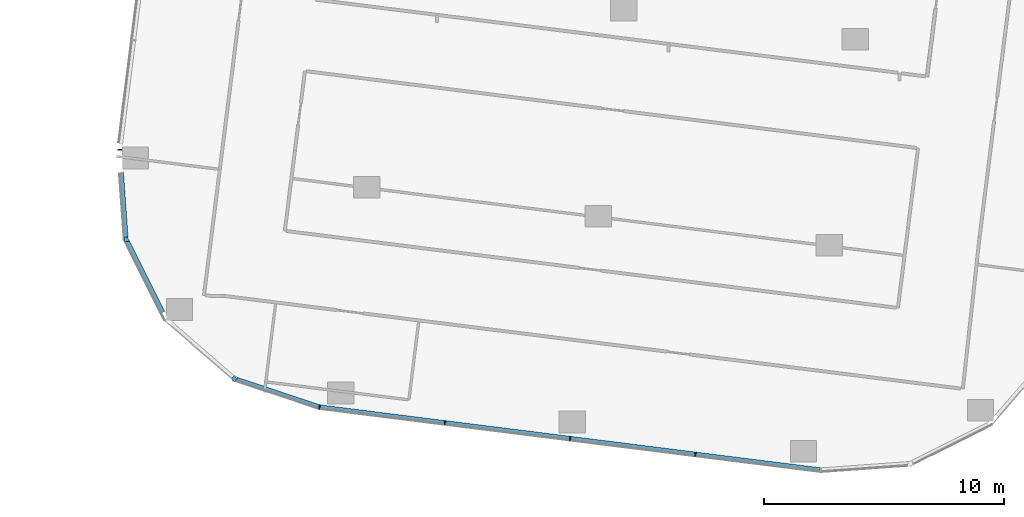
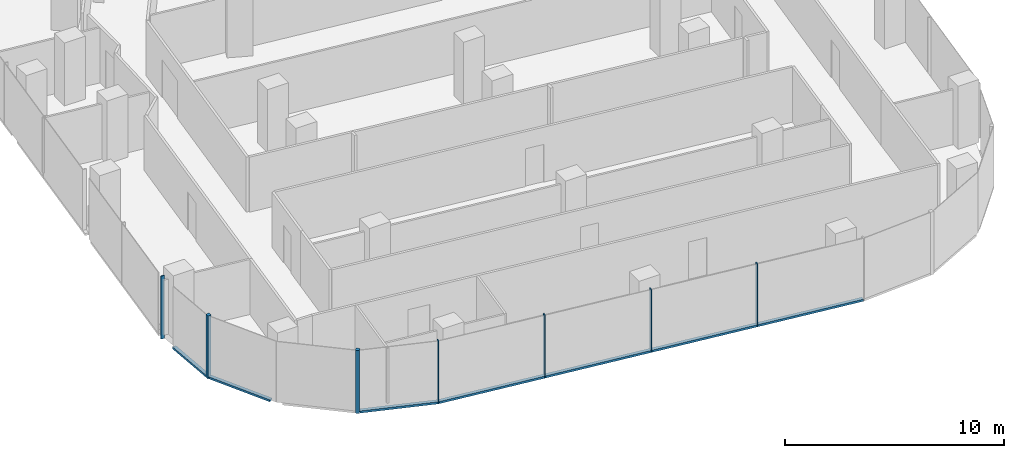
# One storey, part 2 of 27: 11 members, 6 elements without a shape of their own.
"""IFC4 building model written with IfcOpenShell, lengths in metres."""

from ifc_helpers import new_model, si_unit, direction, frame, origin, origin_2d, place, context, subcontext, project, spatial, rectangle, extrude, material, material_profile, profile_set, type_object, element, aggregate, save


model = new_model("IFC4")

# Units and contexts
model_context = context("Model", 3, precision=1e-05, world=origin(), true_north=direction((0.0, 1.0)))
body_context = subcontext(model_context, "Body", "Model", "MODEL_VIEW")
ifc_project = project(units=[si_unit("LENGTHUNIT", "METRE"), si_unit("AREAUNIT", "SQUARE_METRE"), si_unit("VOLUMEUNIT", "CUBIC_METRE"), si_unit("PLANEANGLEUNIT", "RADIAN"), si_unit("MASSUNIT", "GRAM", prefix="KILO")], contexts=[model_context])

# Site, building, storey
site_placement = place(None, origin())
site = spatial("IfcSite", under=ifc_project, at=site_placement, CompositionType="ELEMENT")
building_placement = place(site_placement, origin())
building = spatial("IfcBuilding", under=site, at=building_placement, Name="Orlundy Tower", CompositionType="ELEMENT")
storey_placement = place(building_placement, frame((0.0, 0.0, 192.10009765625)))
storey = spatial("IfcBuildingStorey", under=building, at=storey_placement, Name="L50", CompositionType="ELEMENT", Elevation=192.10009765625)

# Curtain wall, member
ifc_material_1 = material(Name="Aluminium bronze anodised", Category="aluminium")
curtain_wall_type = type_object("IfcCurtainWallType", Name="CW1 wall", PredefinedType="NOTDEFINED", material=ifc_material_1)
curtain_wall_1_placement = place(storey_placement, origin())
curtain_wall_1 = element("IfcCurtainWall", 1, at=curtain_wall_1_placement, inside=storey, type_object=curtain_wall_type, Name="CW1 run 025", PredefinedType="NOTDEFINED")
ifc_material_2 = material(Name="Aluminium bronze anodised", Category="aluminium")
ifc_material_profile_1 = material_profile(ifc_material_2, rectangle(XDim=0.179931640625, YDim=0.179931640625, at=origin_2d()), Name="CW1 corner post 180x180")
ifc_profile_set_1 = profile_set([ifc_material_profile_1], Name="Aluminium bronze anodised")
member_type_1 = type_object("IfcMemberType", Name="CW1 corner post 180x180", PredefinedType="MULLION", material=ifc_profile_set_1)
member_1_placement = place(storey_placement, frame((-21.4033203125, -56.6337890625, -0.420166015625), z_axis=(0.0, 0.0, 1.0), x_axis=(-0.655002428568, -0.755626772005, 0.0)))
member_1 = element("IfcMember", 2, at=member_1_placement, type_object=member_type_1, Name="CW1 mullion 58", PredefinedType="MULLION", context=body_context, shape_type="SweptSolid", body=[
    extrude(rectangle(XDim=0.179931640625, YDim=0.179931640625, at=origin_2d()), origin(), (0.0, 0.0, 1.0), 3.5),
])
aggregate(curtain_wall_1, [member_1])

curtain_wall_2_placement = place(storey_placement, origin())
curtain_wall_2 = element("IfcCurtainWall", 3, at=curtain_wall_2_placement, inside=storey, type_object=curtain_wall_type, Name="CW1 run 027", PredefinedType="NOTDEFINED")
member_2_placement = place(storey_placement, frame((-25.906494140625, -50.836181640625, -0.420166015625), z_axis=(0.0, 0.0, 1.0), x_axis=(-0.997461437469, -0.071208712685, 0.0)))
member_2 = element("IfcMember", 4, at=member_2_placement, type_object=member_type_1, Name="CW1 mullion 60", PredefinedType="MULLION", context=body_context, shape_type="SweptSolid", body=[
    extrude(rectangle(XDim=0.179931640625, YDim=0.179931640625, at=origin_2d()), origin(), (0.0, 0.0, 1.0), 3.5),
])

curtain_wall_3_placement = place(storey_placement, origin())
curtain_wall_3 = element("IfcCurtainWall", 5, at=curtain_wall_3_placement, inside=storey, type_object=curtain_wall_type, Name="CW1 run 00", PredefinedType="NOTDEFINED")
ifc_material_3 = material(Name="Aluminium bronze anodised", Category="aluminium")
ifc_material_profile_2 = material_profile(ifc_material_3, rectangle(XDim=0.179931640625, YDim=0.050048828125, at=origin_2d()), Name="CW1 mullion 50x180")
ifc_profile_set_2 = profile_set([ifc_material_profile_2], Name="Aluminium bronze anodised")
member_type_2 = type_object("IfcMemberType", Name="CW1 mullion 50x180", PredefinedType="MULLION", material=ifc_profile_set_2)
member_3_placement = place(storey_placement, frame((-26.17236328125, -47.111572265625, -0.420166015625), z_axis=(0.0, 0.0, 1.0), x_axis=(-0.999637943834, 0.026906899623, 0.0)))
member_3 = element("IfcMember", 6, at=member_3_placement, type_object=member_type_2, Name="CW1 mullion 1", PredefinedType="MULLION", context=body_context, shape_type="SweptSolid", body=[
    extrude(rectangle(XDim=0.179931640625, YDim=0.050048828125, at=origin_2d()), origin(), (0.0, 0.0, 1.0), 3.5),
])
aggregate(curtain_wall_3, [member_3])

# Curtain wall, members
curtain_wall_4_placement = place(storey_placement, origin())
curtain_wall_4 = element("IfcCurtainWall", 7, at=curtain_wall_4_placement, inside=storey, type_object=curtain_wall_type, Name="CW1 run 023", PredefinedType="NOTDEFINED")
member_4_placement = place(storey_placement, frame((-2.225341796875, -59.779296875, -0.420166015625), z_axis=(0.0, 0.0, 1.0), x_axis=(-0.12476143853, -0.992186768434, 0.0)))
member_4 = element("IfcMember", 8, at=member_4_placement, type_object=member_type_2, Name="CW1 mullion 54", PredefinedType="MULLION", context=body_context, shape_type="SweptSolid", body=[
    extrude(rectangle(XDim=0.179931640625, YDim=0.050048828125, at=origin_2d()), origin(), (0.0, 0.0, 1.0), 3.5),
])
member_5_placement = place(storey_placement, frame((-7.434326171875, -59.124267578125, -0.420166015625), z_axis=(0.0, 0.0, 1.0), x_axis=(-0.12476143853, -0.992186768434, 0.0)))
member_5 = element("IfcMember", 9, at=member_5_placement, type_object=member_type_2, Name="CW1 mullion 55", PredefinedType="MULLION", context=body_context, shape_type="SweptSolid", body=[
    extrude(rectangle(XDim=0.179931640625, YDim=0.050048828125, at=origin_2d()), origin(), (0.0, 0.0, 1.0), 3.5),
])
member_6_placement = place(storey_placement, frame((-12.643310546875, -58.46923828125, -0.420166015625), z_axis=(0.0, 0.0, 1.0), x_axis=(-0.12476143853, -0.992186768434, 0.0)))
member_6 = element("IfcMember", 10, at=member_6_placement, type_object=member_type_2, Name="CW1 mullion 56", PredefinedType="MULLION", context=body_context, shape_type="SweptSolid", body=[
    extrude(rectangle(XDim=0.179931640625, YDim=0.050048828125, at=origin_2d()), origin(), (0.0, 0.0, 1.0), 3.5),
])

# Curtain wall, member
curtain_wall_5_placement = place(storey_placement, origin())
curtain_wall_5 = element("IfcCurtainWall", 11, at=curtain_wall_5_placement, inside=storey, type_object=curtain_wall_type, Name="CW1 run 024", PredefinedType="NOTDEFINED")
member_7_placement = place(storey_placement, frame((-17.861083984375, -57.813232421875, -0.420166015625), z_axis=(0.0, 0.0, 1.0), x_axis=(-0.221398524176, -0.975183415309, 0.0)))
member_7 = element("IfcMember", 12, at=member_7_placement, type_object=member_type_2, Name="CW1 mullion 57", PredefinedType="MULLION", context=body_context, shape_type="SweptSolid", body=[
    extrude(rectangle(XDim=0.179931640625, YDim=0.050048828125, at=origin_2d()), origin(), (0.0, 0.0, 1.0), 3.5),
])

# Member
ifc_material_4 = material(Name="Aluminium bronze anodised", Category="aluminium")
ifc_material_profile_3 = material_profile(ifc_material_4, rectangle(XDim=0.179931640625, YDim=0.1201171875, at=origin_2d()), Name="CW1 transom 180x120")
ifc_profile_set_3 = profile_set([ifc_material_profile_3], Name="Aluminium bronze anodised")
member_type_3 = type_object("IfcMemberType", Name="CW1 transom 180x120", PredefinedType="USERDEFINED", material=ifc_profile_set_3)
member_8_placement = place(storey_placement, frame((2.967529296875, -60.432373046875, -0.360107421875), z_axis=(-0.992186609329, 0.124762703832, 0.0), x_axis=(-0.124762703832, -0.992186609329, 0.0)))
member_8 = element("IfcMember", 13, at=member_8_placement, type_object=member_type_3, Name="CW1 transom", ObjectType="TRANSOM", PredefinedType="USERDEFINED", context=body_context, shape_type="SweptSolid", body=[
    extrude(rectangle(XDim=0.179931640625, YDim=0.1201171875, at=origin_2d()), origin(), (0.0, 0.0, 1.0), 20.967529296875),
])

aggregate(curtain_wall_4, [member_4, member_5, member_6, member_8])

member_9_placement = place(storey_placement, frame((-17.884765625, -57.80517578125, -0.360107421875), z_axis=(-0.948804921466, 0.315862661614, 0.0), x_axis=(-0.315862661614, -0.948804921466, 0.0)))
member_9 = element("IfcMember", 14, at=member_9_placement, type_object=member_type_3, Name="CW1 transom", ObjectType="TRANSOM", PredefinedType="USERDEFINED", context=body_context, shape_type="SweptSolid", body=[
    extrude(rectangle(XDim=0.179931640625, YDim=0.1201171875, at=origin_2d()), origin(), (0.0, 0.0, 1.0), 3.611083984375),
])

aggregate(curtain_wall_5, [member_7, member_9])

# Curtain wall, member
curtain_wall_6_placement = place(storey_placement, origin())
curtain_wall_6 = element("IfcCurtainWall", 15, at=curtain_wall_6_placement, inside=storey, type_object=curtain_wall_type, Name="CW1 run 026", PredefinedType="NOTDEFINED")
member_10_placement = place(storey_placement, frame((-24.385009765625, -53.87548828125, -0.360107421875), z_axis=(-0.447627675266, 0.894220031276, 0.0), x_axis=(-0.894220031276, -0.447627675266, 0.0)))
member_10 = element("IfcMember", 16, at=member_10_placement, type_object=member_type_3, Name="CW1 transom", ObjectType="TRANSOM", PredefinedType="USERDEFINED", context=body_context, shape_type="SweptSolid", body=[
    extrude(rectangle(XDim=0.179931640625, YDim=0.1201171875, at=origin_2d()), origin(), (0.0, 0.0, 1.0), 3.30126953125),
])
aggregate(curtain_wall_6, [member_10])

# Member
member_11_placement = place(storey_placement, frame((-25.912841796875, -50.74658203125, -0.360107421875), z_axis=(-0.071266331494, 0.997457322393, 0.0), x_axis=(-0.997457322393, -0.071266331494, 0.0)))
member_11 = element("IfcMember", 17, at=member_11_placement, type_object=member_type_3, Name="CW1 transom", ObjectType="TRANSOM", PredefinedType="USERDEFINED", context=body_context, shape_type="SweptSolid", body=[
    extrude(rectangle(XDim=0.179931640625, YDim=0.1201171875, at=origin_2d()), origin(), (0.0, 0.0, 1.0), 2.699462890625),
])

aggregate(curtain_wall_2, [member_2, member_11])

save(model, "model.ifc")
